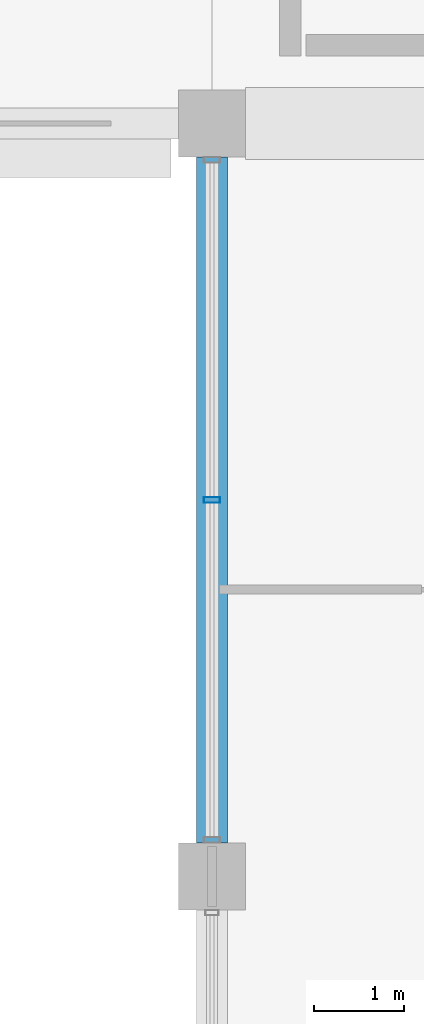
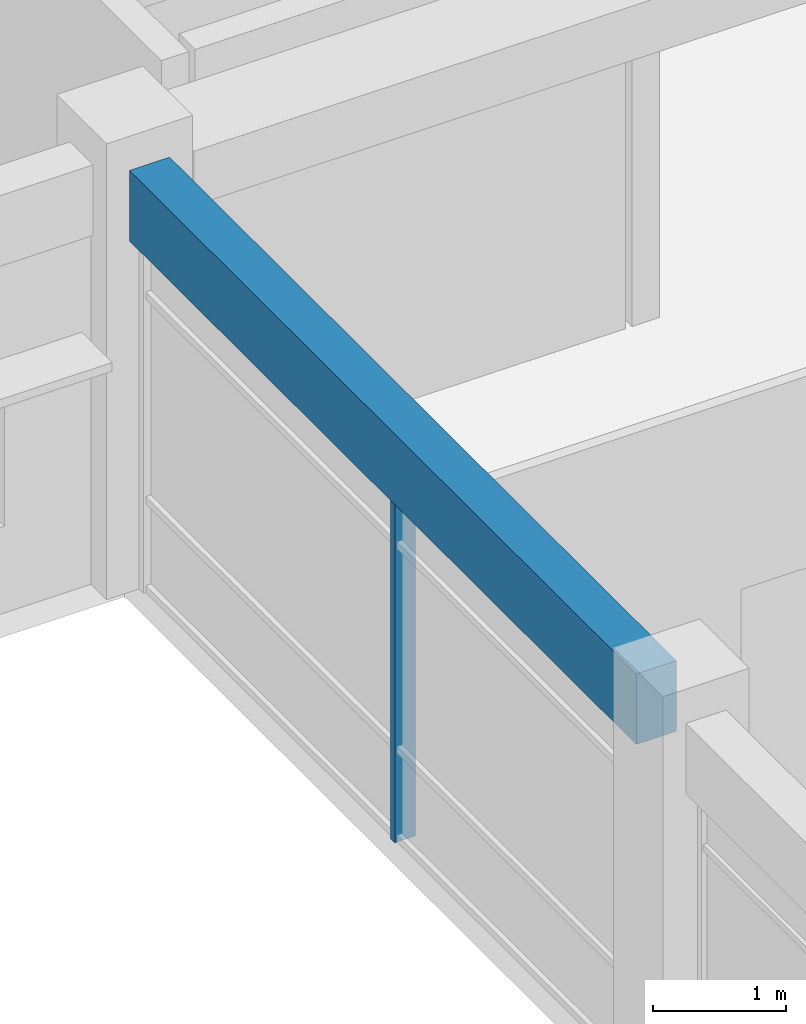
# One storey, part 21 of 53: 1 beam, 1 member, 1 element without a shape of its own.
"""IFC4 building model written with IfcOpenShell, lengths in metres."""

import ifcopenshell
import ifcopenshell.guid

model = None  # the IFC model being written
_history = None  # IfcOwnerHistory: only IFC2X3 demands one
_inside = {}  # id of a spatial element -> (the spatial element, [elements in it])
_under = {}  # id of a project, library or spatial element -> (it, [spatial elements below it])
_declared = {}  # id of a project -> (the project, [libraries it declares])
_typed = {}  # id of a type object -> (the type object, [elements of that type])
_made_of = {}  # id of a material, layer set ... -> (it, [elements and type objects made of it])


def new_model(schema):
    """Start an empty IFC model of exactly this schema.

    Asked for "IFC4X3", IfcOpenShell would pick the latest addendum, in which some entities
    have other attributes; the version numbers below select the first issue.
    IFC2X3 requires an IfcOwnerHistory on every rooted entity: one is made here for all.
    """
    global model, _history
    if schema == "IFC4X3":
        model = ifcopenshell.file(schema_version=(4, 3, 0, 0))
    else:
        model = ifcopenshell.file(schema=schema)
    _inside.clear()
    _under.clear()
    _declared.clear()
    _typed.clear()
    _made_of.clear()
    _history = None
    if model.schema == "IFC2X3":
        org = make("IfcOrganization", Name="unknown")
        user = make(
            "IfcPersonAndOrganization",
            ThePerson=make("IfcPerson", FamilyName="unknown"),
            TheOrganization=org,
        )
        app = make(
            "IfcApplication",
            ApplicationDeveloper=org,
            Version="unknown",
            ApplicationFullName="unknown",
            ApplicationIdentifier="unknown",
        )
        _history = make(
            "IfcOwnerHistory",
            OwningUser=user,
            OwningApplication=app,
            ChangeAction="ADDED",
            CreationDate=0,
        )
    return model


def make(cls, **values):
    """One entity of the class cls with the attributes given. An attribute that is None is left unset."""
    return model.create_entity(
        cls, **{name: value for name, value in values.items() if value is not None}
    )


def rooted(cls, **values):
    """An entity with a GlobalId (a new one), such as an element, a storey or a relation."""
    return make(cls, GlobalId=ifcopenshell.guid.new(), OwnerHistory=_history, **values)


def si_unit(unit_type, name, prefix=None):
    """IfcSIUnit, for example si_unit("LENGTHUNIT", "METRE", prefix="MILLI")."""
    return make("IfcSIUnit", UnitType=unit_type, Prefix=prefix, Name=name)


def assignment(units):
    """IfcUnitAssignment: the units of a project."""
    return None if units is None else make("IfcUnitAssignment", Units=units)


def point(xyz):
    """IfcCartesianPoint."""
    return None if xyz is None else make("IfcCartesianPoint", Coordinates=xyz)


def direction(xyz):
    """IfcDirection."""
    return None if xyz is None else make("IfcDirection", DirectionRatios=xyz)


def frame(location, z_axis=None, x_axis=None):
    """IfcAxis2Placement3D, a coordinate frame: its origin and axes. An axis left out is left unset."""
    return make(
        "IfcAxis2Placement3D",
        Location=point(location),
        Axis=direction(z_axis),
        RefDirection=direction(x_axis),
    )


def frame_2d(location, x_axis=None):
    """IfcAxis2Placement2D, a coordinate frame in the plane: its origin and x axis."""
    return make(
        "IfcAxis2Placement2D", Location=point(location), RefDirection=direction(x_axis)
    )


def origin():
    """The frame at (0, 0, 0) with its axes left unset."""
    return frame((0.0, 0.0, 0.0))


def origin_2d():
    """The frame at (0, 0) in the plane with its x axis left unset."""
    return frame_2d((0.0, 0.0))


def place(relative_to, where):
    """IfcLocalPlacement: puts the frame where relative to a parent placement (None: the world)."""
    return make(
        "IfcLocalPlacement", PlacementRelTo=relative_to, RelativePlacement=where
    )


def context(
    kind, dimensions, precision=None, world=None, true_north=None, identifier=None
):
    """IfcGeometricRepresentationContext, for example the 3D "Model" context."""
    return make(
        "IfcGeometricRepresentationContext",
        ContextIdentifier=identifier,
        ContextType=kind,
        CoordinateSpaceDimension=dimensions,
        Precision=precision,
        WorldCoordinateSystem=world,
        TrueNorth=true_north,
    )


def subcontext(parent, identifier, kind, view, scale=None):
    """IfcGeometricRepresentationSubContext, for example "Body" below "Model"."""
    return make(
        "IfcGeometricRepresentationSubContext",
        ContextIdentifier=identifier,
        ContextType=kind,
        ParentContext=parent,
        TargetScale=scale,
        TargetView=view,
    )


def project(units=None, contexts=None):
    """IfcProject with its units and contexts."""
    return rooted(
        "IfcProject",
        Name="project",
        RepresentationContexts=contexts,
        UnitsInContext=assignment(units),
    )


def spatial(cls, under=None, at=None, **own):
    """A site, building, storey or space (cls), placed at a placement, below another one or the project."""
    s = rooted(cls, ObjectPlacement=at, **own)
    if under is not None:
        _under.setdefault(under.id(), (under, []))[1].append(s)
    return s


def profile(cls, at=None, kind="AREA", **sizes):
    """A parametric profile (cls). Its sizes go by their IFC names, for example OverallWidth=200.0."""
    return make(cls, ProfileType=kind, Position=at, **sizes)


def rectangle(**sizes):
    """IfcRectangleProfileDef."""
    return profile("IfcRectangleProfileDef", **sizes)


def hollow_rectangle(**sizes):
    """IfcRectangleHollowProfileDef."""
    return profile("IfcRectangleHollowProfileDef", **sizes)


def extrude(swept, where, along, depth):
    """IfcExtrudedAreaSolid: the profile swept, set in the frame where, extruded along a direction by depth."""
    return make(
        "IfcExtrudedAreaSolid",
        SweptArea=swept,
        Position=where,
        ExtrudedDirection=direction(along),
        Depth=depth,
    )


def shape(context_of_items, identifier, shape_type, items):
    """IfcShapeRepresentation: the items that make up one representation, for example the "Body"."""
    return make(
        "IfcShapeRepresentation",
        ContextOfItems=context_of_items,
        RepresentationIdentifier=identifier,
        RepresentationType=shape_type,
        Items=items,
    )


def material(Name=None, Category=None):
    """IfcMaterial."""
    return make("IfcMaterial", Name=Name, Category=Category)


def material_profile(
    of_material, cross_section, Name=None, Category=None, Priority=None
):
    """IfcMaterialProfile: a cross section and its material."""
    return make(
        "IfcMaterialProfile",
        Name=Name,
        Material=of_material,
        Profile=cross_section,
        Priority=Priority,
        Category=Category,
    )


def profile_set(profiles, Name=None, composite=None):
    """IfcMaterialProfileSet."""
    return make(
        "IfcMaterialProfileSet",
        Name=Name,
        MaterialProfiles=profiles,
        CompositeProfile=composite,
    )


def made_of(thing, what):
    """Note that an element or type object is made of a material, layer set ...; save() writes the relation."""
    if what is not None:
        _made_of.setdefault(what.id(), (what, []))[1].append(thing)
    return thing


def type_object(cls, material=None, **own):
    """A type object (cls), such as IfcWallType, which elements share."""
    return made_of(rooted(cls, **own), material)


def element(
    cls,
    number,
    at=None,
    inside=None,
    cuts=None,
    type_object=None,
    material=None,
    context=None,
    identifier="Body",
    shape_type=None,
    held_by="IfcProductDefinitionShape",
    body=None,
    shapes=None,
    **own,
):
    """One element of the class cls, such as IfcWall. Its Tag is "e" and its number.

    at: its placement. inside: the storey or other place that contains it. cuts: it is an
    opening in that element (IfcRelVoidsElement). A single representation is given by context,
    identifier, shape_type and body (its items); several are given by shapes. held_by: the class
    of the entity that holds the representations. save() writes the other relations.
    """
    e = rooted(cls, Tag="e%d" % number, ObjectPlacement=at, **own)
    if body is not None:
        shapes = [shape(context, identifier, shape_type, body)]
    if shapes is not None:
        e.Representation = make(held_by, Representations=shapes)
    if inside is not None:
        _inside.setdefault(inside.id(), (inside, []))[1].append(e)
    if cuts is not None:
        rooted(
            "IfcRelVoidsElement", RelatingBuildingElement=cuts, RelatedOpeningElement=e
        )
    if type_object is not None:
        _typed.setdefault(type_object.id(), (type_object, []))[1].append(e)
    return made_of(e, material)


def aggregate(whole, parts):
    """IfcRelAggregates: a whole, such as a stair, and the parts it consists of."""
    return rooted("IfcRelAggregates", RelatingObject=whole, RelatedObjects=parts)


def save(model, path):
    """Write the relations noted so far, then the file.

    IfcRelAggregates (storeys below a building ...), IfcRelContainedInSpatialStructure (elements
    in a storey), IfcRelDefinesByType, IfcRelAssociatesMaterial and IfcRelDeclares: one each for
    every whole, place, type object, material and project.
    """
    for whole, parts in _under.values():
        aggregate(whole, parts)
    for where, things in _inside.values():
        rooted(
            "IfcRelContainedInSpatialStructure",
            RelatedElements=things,
            RelatingStructure=where,
        )
    for kind, things in _typed.values():
        rooted("IfcRelDefinesByType", RelatedObjects=things, RelatingType=kind)
    for what, things in _made_of.values():
        rooted("IfcRelAssociatesMaterial", RelatedObjects=things, RelatingMaterial=what)
    for by, libraries in _declared.values():
        rooted("IfcRelDeclares", RelatingContext=by, RelatedDefinitions=libraries)
    model.write(path)


model = new_model("IFC4")

# Units and contexts
model_context = context("Model", 3, precision=1e-05, world=origin(), true_north=direction((0.0, 1.0)))
body_context = subcontext(model_context, "Body", "Model", "MODEL_VIEW")
ifc_project = project(units=[si_unit("LENGTHUNIT", "METRE"), si_unit("AREAUNIT", "SQUARE_METRE"), si_unit("VOLUMEUNIT", "CUBIC_METRE"), si_unit("PLANEANGLEUNIT", "RADIAN"), si_unit("MASSUNIT", "GRAM", prefix="KILO"), si_unit("THERMODYNAMICTEMPERATUREUNIT", "KELVIN"), si_unit("POWERUNIT", "WATT")], contexts=[model_context])

# Site, building, storey
site_placement = place(None, origin())
site = spatial("IfcSite", under=ifc_project, at=site_placement, CompositionType="ELEMENT")
building_placement = place(site_placement, origin())
building = spatial("IfcBuilding", under=site, at=building_placement, Name="Srebrne Nadtorze General Hospital", CompositionType="ELEMENT")
storey_placement = place(building_placement, frame((0.0, 0.0, 18.0)))
storey = spatial("IfcBuildingStorey", under=building, at=storey_placement, Name="L04", CompositionType="ELEMENT", Elevation=18.0)

# Curtain wall, member
ifc_material_1 = material(Name="Anodised Aluminium", Category="aluminium")
curtain_wall_type = type_object("IfcCurtainWallType", Name="Unitised curtain wall 7650x3235", PredefinedType="NOTDEFINED", material=ifc_material_1)
curtain_wall_placement = place(storey_placement, origin())
curtain_wall = element("IfcCurtainWall", 1, at=curtain_wall_placement, inside=storey, type_object=curtain_wall_type, Name="Curtain wall CW-109", PredefinedType="NOTDEFINED")
ifc_material_2 = material(Name="Anodised Aluminium", Category="aluminium")
ifc_material_profile_1 = material_profile(ifc_material_2, hollow_rectangle(XDim=0.06494140625, YDim=0.179931640625, WallThickness=0.00390625, at=origin_2d()), Name="AL-MUL-65x180")
ifc_profile_set_1 = profile_set([ifc_material_profile_1], Name="Anodised Aluminium")
member_type = type_object("IfcMemberType", Name="Curtain mullion 65x180", PredefinedType="MULLION", material=ifc_profile_set_1)
member_placement = place(storey_placement, frame((101.39990234375, 46.199951171875, 0.0), z_axis=(0.0, 0.0, 1.0), x_axis=(0.0, 1.0, 0.0)))
member = element("IfcMember", 2, at=member_placement, type_object=member_type, Name="CW-109 mullion 2", PredefinedType="MULLION", context=body_context, shape_type="SweptSolid", body=[
    extrude(hollow_rectangle(XDim=0.06494140625, YDim=0.179931640625, WallThickness=0.00390625, at=origin_2d()), origin(), (0.0, 0.0, 1.0), 3.235107421875),
])
aggregate(curtain_wall, [member])

# Beam
ifc_material_3 = material(Name="Concrete C35/45", Category="concrete")
ifc_material_profile_2 = material_profile(ifc_material_3, rectangle(XDim=0.35009765625, YDim=0.64990234375, at=origin_2d()), Name="RC-BM-350x650")
ifc_profile_set_2 = profile_set([ifc_material_profile_2], Name="Concrete C35/45")
beam_type = type_object("IfcBeamType", Name="Edge beam RC 350x650", PredefinedType="BEAM", material=ifc_profile_set_2)
beam_placement = place(storey_placement, frame((101.39990234375, 42.375, 3.56005859375), z_axis=(0.0, 1.0, 0.0), x_axis=(-1.0, 0.0, 0.0)))
element("IfcBeam", 3, at=beam_placement, inside=storey, type_object=beam_type, Name="Beam BM-L04-Y-0962", PredefinedType="BEAM", context=body_context, shape_type="SweptSolid", body=[
    extrude(rectangle(XDim=0.35009765625, YDim=0.64990234375, at=origin_2d()), origin(), (0.0, 0.0, 1.0), 7.64990234375),
])

save(model, "model.ifc")
